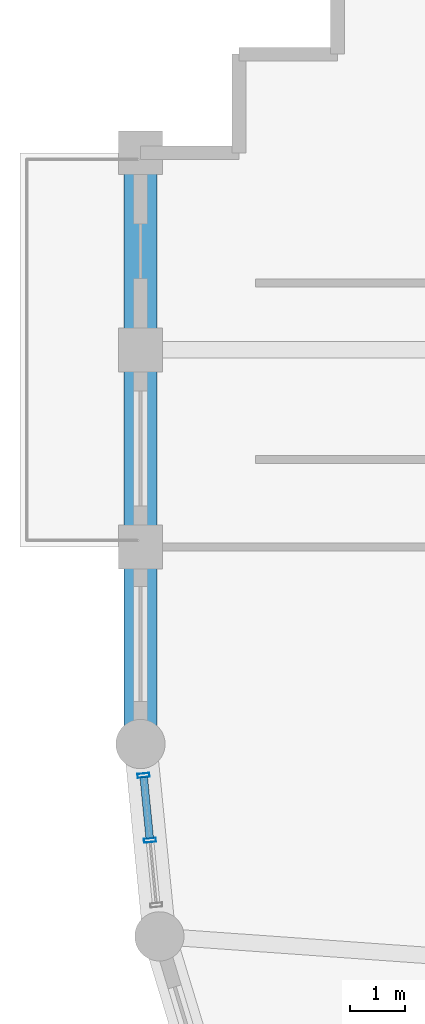
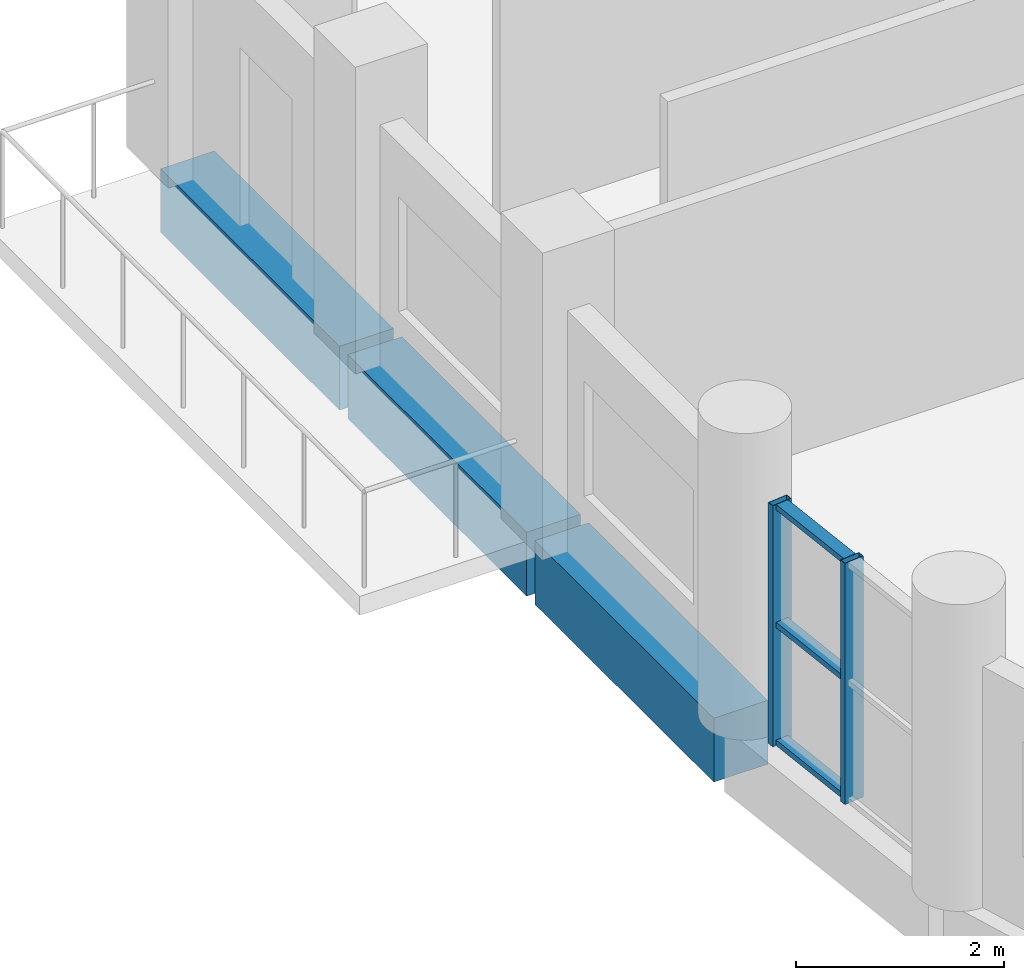
# One storey, part 6 of 11: 5 members, 3 beams, 1 element without a shape of its own.
"""IFC4 building model written with IfcOpenShell, lengths in metres."""

from ifc_helpers import new_model, si_unit, direction, frame, origin, origin_2d, place, context, subcontext, project, spatial, rectangle, hollow_rectangle, extrude, material, layer, layer_set, material_profile, profile_set, type_object, element, aggregate, save


model = new_model("IFC4")

# Units and contexts
model_context = context("Model", 3, precision=1e-05, world=origin(), true_north=direction((0.0, 1.0)))
body_context = subcontext(model_context, "Body", "Model", "MODEL_VIEW")
ifc_project = project(units=[si_unit("LENGTHUNIT", "METRE"), si_unit("AREAUNIT", "SQUARE_METRE"), si_unit("VOLUMEUNIT", "CUBIC_METRE"), si_unit("PLANEANGLEUNIT", "RADIAN"), si_unit("MASSUNIT", "GRAM", prefix="KILO")], contexts=[model_context])

# Site, building, storey
site_placement = place(None, origin())
site = spatial("IfcSite", under=ifc_project, at=site_placement, CompositionType="ELEMENT")
building_placement = place(site_placement, origin())
building = spatial("IfcBuilding", under=site, at=building_placement, Name="Solnavia Interchange Tower", CompositionType="ELEMENT")
storey_placement = place(building_placement, frame((0.0, 0.0, 263.0)))
storey = spatial("IfcBuildingStorey", under=building, at=storey_placement, Name="L66", CompositionType="ELEMENT", Elevation=263.0)

# Beams
ifc_material_1 = material(Name="Concrete C50/60", Category="concrete")
ifc_material_profile_1 = material_profile(ifc_material_1, rectangle(XDim=0.60009765625, YDim=0.75, at=origin_2d()), Name="RC 600x750")
ifc_profile_set_1 = profile_set([ifc_material_profile_1], Name="Concrete C50/60")
beam_type = type_object("IfcBeamType", Name="Beam-Spandrel-RC600x750", PredefinedType="SPANDREL", material=ifc_profile_set_1)
beam_1_placement = place(storey_placement, frame((7.199951171875, 32.320068359375, -0.375), z_axis=(0.0, -1.0, 0.0), x_axis=(1.0, 0.0, 0.0)))
element("IfcBeam", 1, at=beam_1_placement, inside=storey, type_object=beam_type, Name="SPB-L66-25 Framed-tube perimeter spandrel beam", PredefinedType="SPANDREL", context=body_context, shape_type="SweptSolid", body=[
    extrude(rectangle(XDim=0.60009765625, YDim=0.75, at=origin_2d()), origin(), (0.0, 0.0, 1.0), 3.440185546875),
])
beam_2_placement = place(storey_placement, frame((7.199951171875, 28.719970703125, -0.375), z_axis=(0.0, -1.0, 0.0), x_axis=(1.0, 0.0, 0.0)))
element("IfcBeam", 2, at=beam_2_placement, inside=storey, type_object=beam_type, Name="SPB-L66-26 Framed-tube perimeter spandrel beam", PredefinedType="SPANDREL", context=body_context, shape_type="SweptSolid", body=[
    extrude(rectangle(XDim=0.60009765625, YDim=0.75, at=origin_2d()), origin(), (0.0, 0.0, 1.0), 3.43994140625),
])
beam_3_placement = place(storey_placement, frame((7.199951171875, 25.1201171875, -0.375), z_axis=(0.0, -1.0, 0.0), x_axis=(1.0, 0.0, 0.0)))
element("IfcBeam", 3, at=beam_3_placement, inside=storey, type_object=beam_type, Name="SPB-L66-27 Framed-tube perimeter spandrel beam", PredefinedType="SPANDREL", context=body_context, shape_type="SweptSolid", body=[
    extrude(rectangle(XDim=0.60009765625, YDim=0.75, at=origin_2d()), origin(), (0.0, 0.0, 1.0), 3.440185546875),
])

# Curtain wall, members
ifc_material_2 = material(Name="Aluminium Alloy 6063-T6", Category="aluminium")
ifc_layer = layer(ifc_material_2, 0.239990234375)
ifc_layer_set = layer_set([ifc_layer], Name="Aluminium Alloy 6063-T6")
curtain_wall_type = type_object("IfcCurtainWallType", Name="CurtainWall-Drum-CTW2", PredefinedType="NOTDEFINED", material=ifc_layer_set)
curtain_wall_placement = place(storey_placement, origin())
curtain_wall = element("IfcCurtainWall", 4, at=curtain_wall_placement, inside=storey, type_object=curtain_wall_type, Name="CTW-L66-D37 CTW-2 curtain wall", PredefinedType="NOTDEFINED")
ifc_material_profile_2 = material_profile(ifc_material_2, hollow_rectangle(XDim=0.074951171875, YDim=0.219970703125, WallThickness=0.0048828125, at=origin_2d()), Name="ALU 220x75x5")
ifc_profile_set_2 = profile_set([ifc_material_profile_2], Name="Aluminium Alloy 6063-T6")
member_type_1 = type_object("IfcMemberType", Name="CW-Mullion-CWM-2", PredefinedType="MULLION", material=ifc_profile_set_2)
member_1_placement = place(storey_placement, frame((7.25634765625, 21.02783203125, 0.0), z_axis=(0.0, 0.0, 1.0), x_axis=(0.098043088306, -0.995182170678, 0.0)))
member_1 = element("IfcMember", 5, at=member_1_placement, type_object=member_type_1, Name="CTW-2 mullion 1", PredefinedType="MULLION", context=body_context, shape_type="SweptSolid", body=[
    extrude(hollow_rectangle(XDim=0.074951171875, YDim=0.219970703125, WallThickness=0.0048828125, at=origin_2d()), origin(), (0.0, 0.0, 1.0), 2.830078125),
])
member_2_placement = place(storey_placement, frame((7.373046875, 19.843994140625, 0.0), z_axis=(0.0, 0.0, 1.0), x_axis=(0.098043088306, -0.995182170678, 0.0)))
member_2 = element("IfcMember", 6, at=member_2_placement, type_object=member_type_1, Name="CTW-2 mullion 2", PredefinedType="MULLION", context=body_context, shape_type="SweptSolid", body=[
    extrude(hollow_rectangle(XDim=0.074951171875, YDim=0.219970703125, WallThickness=0.0048828125, at=origin_2d()), origin(), (0.0, 0.0, 1.0), 2.830078125),
])
ifc_material_profile_3 = material_profile(ifc_material_2, hollow_rectangle(XDim=0.06494140625, YDim=0.139892578125, WallThickness=0.00390625, at=origin_2d()), Name="ALU 140x65x4")
ifc_profile_set_3 = profile_set([ifc_material_profile_3], Name="Aluminium Alloy 6063-T6")
member_type_2 = type_object("IfcMemberType", Name="CW-Transom-CWT-2", PredefinedType="USERDEFINED", material=ifc_profile_set_3)
member_3_placement = place(storey_placement, frame((7.260009765625, 20.990478515625, 0.032470703125), z_axis=(0.098137234257, -0.995172891136, 0.0), x_axis=(0.0, 0.0, 1.0)))
member_3 = element("IfcMember", 7, at=member_3_placement, type_object=member_type_2, Name="CTW-2 transom 1.1", ObjectType="TRANSOM", PredefinedType="USERDEFINED", context=body_context, shape_type="SweptSolid", body=[
    extrude(hollow_rectangle(XDim=0.06494140625, YDim=0.139892578125, WallThickness=0.00390625, at=origin_2d()), origin(), (0.0, 0.0, 1.0), 1.114501953125),
])
member_4_placement = place(storey_placement, frame((7.260009765625, 20.990478515625, 1.4150390625), z_axis=(0.098137234257, -0.995172891136, 0.0), x_axis=(0.0, 0.0, 1.0)))
member_4 = element("IfcMember", 8, at=member_4_placement, type_object=member_type_2, Name="CTW-2 transom 1.2", ObjectType="TRANSOM", PredefinedType="USERDEFINED", context=body_context, shape_type="SweptSolid", body=[
    extrude(hollow_rectangle(XDim=0.06494140625, YDim=0.139892578125, WallThickness=0.00390625, at=origin_2d()), origin(), (0.0, 0.0, 1.0), 1.114501953125),
])
member_5_placement = place(storey_placement, frame((7.260009765625, 20.990478515625, 2.797607421875), z_axis=(0.098137234257, -0.995172891136, 0.0), x_axis=(0.0, 0.0, 1.0)))
member_5 = element("IfcMember", 9, at=member_5_placement, type_object=member_type_2, Name="CTW-2 transom 1.3", ObjectType="TRANSOM", PredefinedType="USERDEFINED", context=body_context, shape_type="SweptSolid", body=[
    extrude(hollow_rectangle(XDim=0.06494140625, YDim=0.139892578125, WallThickness=0.00390625, at=origin_2d()), origin(), (0.0, 0.0, 1.0), 1.114501953125),
])
aggregate(curtain_wall, [member_1, member_2, member_3, member_4, member_5])

save(model, "model.ifc")
